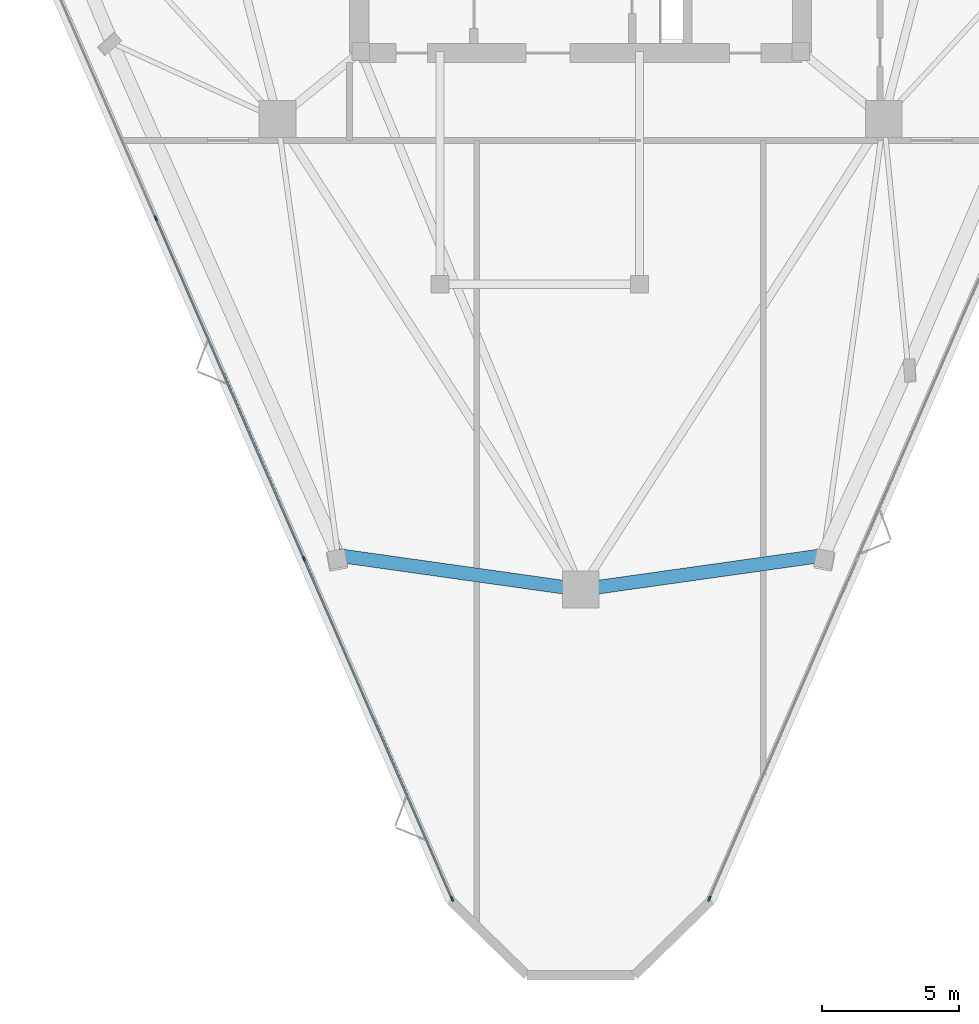
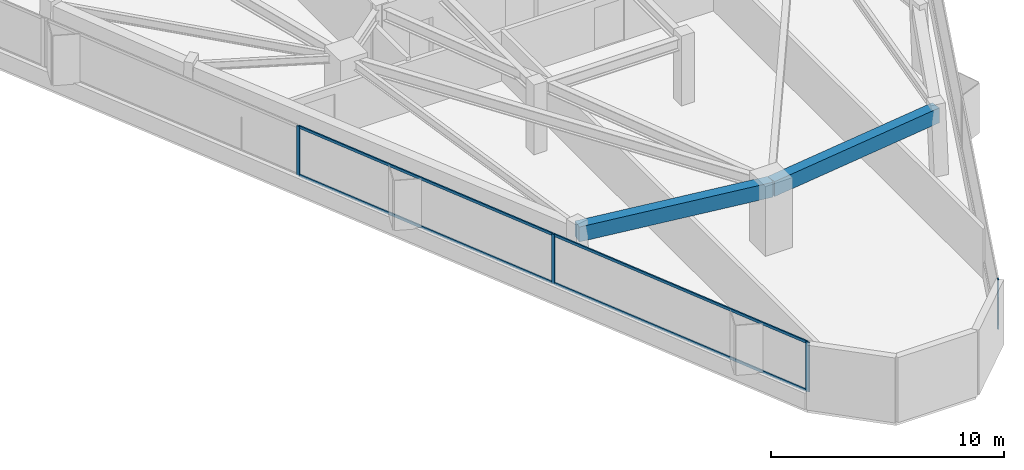
# One storey, part 2 of 12: 8 members, 2 beams, 2 elements without a shape of their own.
"""IFC4 building model written with IfcOpenShell, lengths in metres."""

from ifc_helpers import new_model, si_unit, direction, frame, origin, origin_2d, place, context, subcontext, project, spatial, rectangle, extrude, material, layer, layer_set, material_profile, profile_set, type_object, element, aggregate, save


model = new_model("IFC4")

# Units and contexts
model_context = context("Model", 3, precision=1e-05, world=origin(), true_north=direction((0.0, 1.0)))
body_context = subcontext(model_context, "Body", "Model", "MODEL_VIEW")
ifc_project = project(units=[si_unit("LENGTHUNIT", "METRE"), si_unit("AREAUNIT", "SQUARE_METRE"), si_unit("VOLUMEUNIT", "CUBIC_METRE"), si_unit("PLANEANGLEUNIT", "RADIAN"), si_unit("MASSUNIT", "GRAM", prefix="KILO")], contexts=[model_context])

# Site, building, storey
site_placement = place(None, origin())
site = spatial("IfcSite", under=ifc_project, at=site_placement, CompositionType="ELEMENT")
building_placement = place(site_placement, origin())
building = spatial("IfcBuilding", under=site, at=building_placement, Name="Talyreon Biosciences Tower", CompositionType="ELEMENT")
storey_placement = place(building_placement, frame((0.0, 0.0, 183.050048828125)))
storey = spatial("IfcBuildingStorey", under=building, at=storey_placement, Name="L48", CompositionType="ELEMENT", Elevation=183.050048828125)

# Curtain wall, members
ifc_material_1 = material(Name="Thermally broken aluminium and low-E glazing", Category="aluminium")
ifc_layer = layer(ifc_material_1, 0.179931640625)
ifc_layer_set = layer_set([ifc_layer], Name="Thermally broken aluminium and low-E glazing")
curtain_wall_type = type_object("IfcCurtainWallType", Name="CurtainWall_Zone4Optical", PredefinedType="NOTDEFINED", material=ifc_layer_set)
curtain_wall_1_placement = place(storey_placement, origin())
curtain_wall_1 = element("IfcCurtainWall", 1, at=curtain_wall_1_placement, inside=storey, type_object=curtain_wall_type, Name="L48 Unitised Curtain Wall FCW-L48-00", PredefinedType="NOTDEFINED")
ifc_material_2 = material(Name="Anodised thermally broken aluminium", Category="aluminium")
ifc_material_profile_1 = material_profile(ifc_material_2, rectangle(XDim=0.06494140625, YDim=0.179931640625, at=origin_2d()), Name="ALUM MULLION 65x180")
ifc_profile_set_1 = profile_set([ifc_material_profile_1], Name="Anodised thermally broken aluminium")
member_type_1 = type_object("IfcMemberType", Name="CWMullion_65x180", PredefinedType="MULLION", material=ifc_profile_set_1)
member_1_placement = place(storey_placement, frame((61.29248046875, 30.35791015625, 0.81005859375), z_axis=(0.0, 0.0, 1.0), x_axis=(-0.916912184291, -0.399089020519, 0.0)))
member_1 = element("IfcMember", 2, at=member_1_placement, type_object=member_type_1, Name="CW5 mullion 1", PredefinedType="MULLION", context=body_context, shape_type="SweptSolid", body=[
    extrude(rectangle(XDim=0.06494140625, YDim=0.179931640625, at=origin_2d()), origin(), (0.0, 0.0, 1.0), 2.58984375),
])
member_2_placement = place(storey_placement, frame((55.88134765625, 42.7900390625, 0.81005859375), z_axis=(0.0, 0.0, 1.0), x_axis=(-0.916912184291, -0.399089020519, 0.0)))
member_2 = element("IfcMember", 3, at=member_2_placement, type_object=member_type_1, Name="CW5 mullion 2", PredefinedType="MULLION", context=body_context, shape_type="SweptSolid", body=[
    extrude(rectangle(XDim=0.06494140625, YDim=0.179931640625, at=origin_2d()), origin(), (0.0, 0.0, 1.0), 2.58984375),
])
member_3_placement = place(storey_placement, frame((50.45751953125, 55.251953125, 0.81005859375), z_axis=(0.0, 0.0, 1.0), x_axis=(-0.916912184291, -0.399089020519, 0.0)))
member_3 = element("IfcMember", 4, at=member_3_placement, type_object=member_type_1, Name="CW5 mullion 3", PredefinedType="MULLION", context=body_context, shape_type="SweptSolid", body=[
    extrude(rectangle(XDim=0.06494140625, YDim=0.179931640625, at=origin_2d()), origin(), (0.0, 0.0, 1.0), 2.58984375),
])

# Curtain wall, member
curtain_wall_2_placement = place(storey_placement, origin())
curtain_wall_2 = element("IfcCurtainWall", 5, at=curtain_wall_2_placement, inside=storey, type_object=curtain_wall_type, Name="L48 Unitised Curtain Wall FCW-L48-08", PredefinedType="NOTDEFINED")
member_4_placement = place(storey_placement, frame((70.70751953125, 30.35791015625, 0.81005859375), z_axis=(0.0, 0.0, 1.0), x_axis=(0.916912184291, -0.399089020519, 0.0)))
member_4 = element("IfcMember", 6, at=member_4_placement, type_object=member_type_1, Name="CW5 mullion 5", PredefinedType="MULLION", context=body_context, shape_type="SweptSolid", body=[
    extrude(rectangle(XDim=0.06494140625, YDim=0.179931640625, at=origin_2d()), origin(), (0.0, 0.0, 1.0), 2.58984375),
])
aggregate(curtain_wall_2, [member_4])

# Member
ifc_material_profile_2 = material_profile(ifc_material_2, rectangle(XDim=0.06494140625, YDim=0.139892578125, at=origin_2d()), Name="ALUM TRANSOM 65x140")
ifc_profile_set_2 = profile_set([ifc_material_profile_2], Name="Anodised thermally broken aluminium")
member_type_2 = type_object("IfcMemberType", Name="CWTransom_65x140", PredefinedType="USERDEFINED", material=ifc_profile_set_2)
member_5_placement = place(storey_placement, frame((61.279541015625, 30.3876953125, 0.842529296875), z_axis=(-0.399077385587, 0.916917248345, 0.0), x_axis=(-0.916917248345, -0.399077385587, 0.0)))
member_5 = element("IfcMember", 7, at=member_5_placement, type_object=member_type_2, Name="CW5 transom 1.1", ObjectType="TRANSOM", PredefinedType="USERDEFINED", context=body_context, shape_type="SweptSolid", body=[
    extrude(rectangle(XDim=0.06494140625, YDim=0.139892578125, at=origin_2d()), origin(), (0.0, 0.0, 1.0), 13.49365234375),
])

member_6_placement = place(storey_placement, frame((61.279541015625, 30.3876953125, 3.367431640625), z_axis=(-0.399077385587, 0.916917248345, 0.0), x_axis=(-0.916917248345, -0.399077385587, 0.0)))
member_6 = element("IfcMember", 8, at=member_6_placement, type_object=member_type_2, Name="CW5 transom 1.2", ObjectType="TRANSOM", PredefinedType="USERDEFINED", context=body_context, shape_type="SweptSolid", body=[
    extrude(rectangle(XDim=0.06494140625, YDim=0.139892578125, at=origin_2d()), origin(), (0.0, 0.0, 1.0), 13.49365234375),
])

member_7_placement = place(storey_placement, frame((55.868408203125, 42.81982421875, 0.842529296875), z_axis=(-0.399075882405, 0.916917902586, 0.0), x_axis=(-0.916917902586, -0.399075882405, 0.0)))
member_7 = element("IfcMember", 9, at=member_7_placement, type_object=member_type_2, Name="CW5 transom 2.1", ObjectType="TRANSOM", PredefinedType="USERDEFINED", context=body_context, shape_type="SweptSolid", body=[
    extrude(rectangle(XDim=0.06494140625, YDim=0.139892578125, at=origin_2d()), origin(), (0.0, 0.0, 1.0), 13.526123046875),
])

member_8_placement = place(storey_placement, frame((55.868408203125, 42.81982421875, 3.367431640625), z_axis=(-0.399075882405, 0.916917902586, 0.0), x_axis=(-0.916917902586, -0.399075882405, 0.0)))
member_8 = element("IfcMember", 10, at=member_8_placement, type_object=member_type_2, Name="CW5 transom 2.2", ObjectType="TRANSOM", PredefinedType="USERDEFINED", context=body_context, shape_type="SweptSolid", body=[
    extrude(rectangle(XDim=0.06494140625, YDim=0.139892578125, at=origin_2d()), origin(), (0.0, 0.0, 1.0), 13.526123046875),
])

aggregate(curtain_wall_1, [member_1, member_2, member_3, member_5, member_6, member_7, member_8])

# Beams
ifc_material_3 = material(Name="Precast concrete C45/55", Category="concrete")
ifc_material_profile_3 = material_profile(ifc_material_3, rectangle(XDim=0.5, YDim=0.780029296875, at=origin_2d()), Name="RCB 500x780")
ifc_profile_set_3 = profile_set([ifc_material_profile_3], Name="Precast concrete C45/55")
beam_type = type_object("IfcBeamType", Name="ExpressedSpandrel_500x780", PredefinedType="SPANDREL", material=ifc_profile_set_3)
for number, where, z_axis, x_axis, name in (
    (11, (66.0, 41.6669921875, 3.010009765625), (0.990220040185, 0.13951441508, 0.0), (-0.13951441508, 0.990220040185, 0.0), "L48 Expressed Horizontal Concrete Spandrel 01"),
    (12, (57.12451171875, 42.91748046875, 3.010009765625), (0.990220040185, -0.13951441508, 0.0), (0.13951441508, 0.990220040185, 0.0), "L48 Expressed Horizontal Concrete Spandrel 12"),
):
    element("IfcBeam", number, at=place(storey_placement, frame(where, z_axis=z_axis, x_axis=x_axis)), inside=storey, type_object=beam_type, Name=name, PredefinedType="SPANDREL", context=body_context, shape_type="SweptSolid", body=[
        extrude(rectangle(XDim=0.5, YDim=0.780029296875, at=origin_2d()), origin(), (0.0, 0.0, 1.0), 8.963134765625),
    ])

save(model, "model.ifc")
